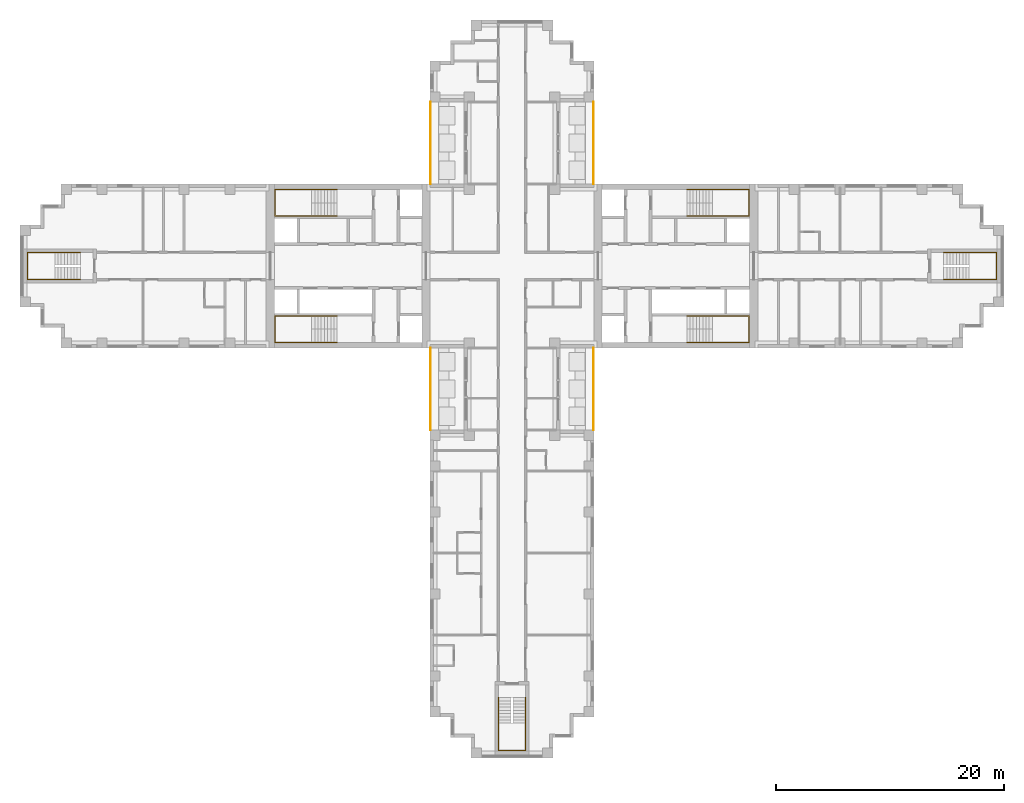
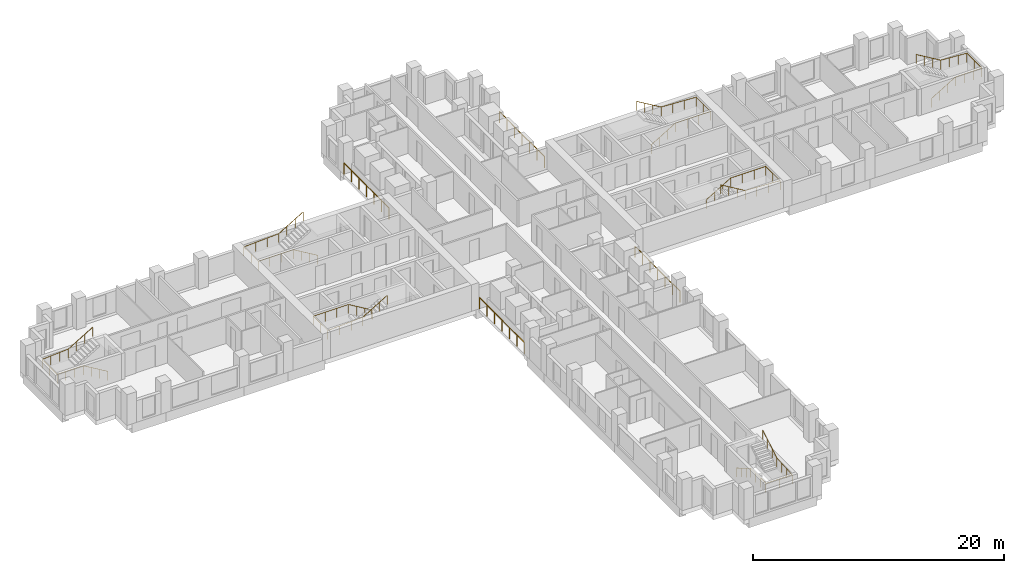
# One storey, part 12 of 13: 11 railings.
"""IFC4 building model written with IfcOpenShell, lengths in metres."""

from ifc_helpers import new_model, si_unit, direction, frame, origin, origin_2d, place, context, subcontext, project, spatial, circle, extrude, material, type_object, element, save


model = new_model("IFC4")

# Units and contexts
model_context = context("Model", 3, precision=1e-05, world=origin(), true_north=direction((0.0, 1.0)))
body_context = subcontext(model_context, "Body", "Model", "MODEL_VIEW")
ifc_project = project(units=[si_unit("LENGTHUNIT", "METRE"), si_unit("AREAUNIT", "SQUARE_METRE"), si_unit("VOLUMEUNIT", "CUBIC_METRE"), si_unit("PLANEANGLEUNIT", "RADIAN"), si_unit("MASSUNIT", "GRAM", prefix="KILO")], contexts=[model_context])

# Site, building, storey
site_placement = place(None, origin())
site = spatial("IfcSite", under=ifc_project, at=site_placement, CompositionType="ELEMENT")
building_placement = place(site_placement, origin())
building = spatial("IfcBuilding", under=site, at=building_placement, Name="Fustian Cross Tower", CompositionType="ELEMENT")
storey_placement = place(building_placement, frame((0.0, 0.0, 75.89990234375)))
storey = spatial("IfcBuildingStorey", under=building, at=storey_placement, Name="L23", CompositionType="ELEMENT", Elevation=75.89990234375)

# Railings
ifc_material_1 = material(Name="Stainless steel and glass", Category="steel")
railing_type_1 = type_object("IfcRailingType", Name="GR1 BALCONY GUARD 1100", PredefinedType="GUARDRAIL", material=ifc_material_1)
for number, where, name in (
    (1, (7.14990234375, 7.199951171875, 0.0), "Balcony guard"),
    (2, (-7.14990234375, 7.199951171875, 0.0), "Balcony guard"),
    (3, (7.14990234375, -14.39990234375, 0.0), "Balcony guard"),
    (4, (-7.14990234375, -14.39990234375, 0.0), "Balcony guard"),
):
    element("IfcRailing", number, at=place(storey_placement, frame(where)), inside=storey, type_object=railing_type_1, Name=name, PredefinedType="GUARDRAIL", context=body_context, shape_type="SweptSolid", body=[
        extrude(circle(Radius=0.02392578125, at=origin_2d()), frame((0.0, 0.0, 1.076171875), z_axis=(0.0, 1.0, 0.0), x_axis=(-1.0, 0.0, 0.0)), (0.0, 0.0, 1.0), 7.199951171875),
        extrude(circle(Radius=0.02099609375, at=origin_2d()), origin(), (0.0, 0.0, 1.0), 1.052001953125),
        extrude(circle(Radius=0.02099609375, at=origin_2d()), frame((0.0, 1.199951171875, 0.0)), (0.0, 0.0, 1.0), 1.052001953125),
        extrude(circle(Radius=0.02099609375, at=origin_2d()), frame((0.0, 2.39990234375, 0.0)), (0.0, 0.0, 1.0), 1.052001953125),
        extrude(circle(Radius=0.02099609375, at=origin_2d()), frame((0.0, 3.60009765625, 0.0)), (0.0, 0.0, 1.0), 1.052001953125),
        extrude(circle(Radius=0.02099609375, at=origin_2d()), frame((0.0, 4.800048828125, 0.0)), (0.0, 0.0, 1.0), 1.052001953125),
        extrude(circle(Radius=0.02099609375, at=origin_2d()), frame((0.0, 6.0, 0.0)), (0.0, 0.0, 1.0), 1.052001953125),
        extrude(circle(Radius=0.02099609375, at=origin_2d()), frame((0.0, 7.199951171875, 0.0)), (0.0, 0.0, 1.0), 1.052001953125),
    ])
ifc_material_2 = material(Name="Stainless steel", Category="steel")
railing_type_2 = type_object("IfcRailingType", Name="STAIR HANDRAIL", PredefinedType="HANDRAIL", material=ifc_material_2)
railing_1_placement = place(storey_placement, frame((15.35009765625, 4.39990234375, 0.166748046875)))
element("IfcRailing", 5, at=railing_1_placement, inside=storey, type_object=railing_type_2, Name="Stair ST1 handrail 1", PredefinedType="HANDRAIL", context=body_context, shape_type="SweptSolid", body=[
    extrude(circle(Radius=0.02490234375, at=origin_2d()), frame((0.0, 0.0, 0.875), z_axis=(0.859305625298, 0.0, 0.511462454469), x_axis=(0.0, 1.0, 0.0)), (0.0, 0.0, 1.0), 2.606689453125),
    extrude(circle(Radius=0.02490234375, at=origin_2d()), frame((2.239990234375, 0.0, 2.2080078125), z_axis=(1.0, 0.0, 0.0), x_axis=(0.0, 1.0, 0.0)), (0.0, 0.0, 1.0), 3.219970703125),
    extrude(circle(Radius=0.02490234375, at=origin_2d()), frame((5.4599609375, 0.0, 2.2080078125), z_axis=(0.0, 1.0, 0.0), x_axis=(-1.0, 0.0, 0.0)), (0.0, 0.0, 1.0), 2.300048828125),
    extrude(circle(Radius=0.02490234375, at=origin_2d()), frame((5.4599609375, 2.300048828125, 2.2080078125), z_axis=(-0.998661817807, 0.0, 0.051716280352), x_axis=(0.0, -1.0, 0.0)), (0.0, 0.0, 1.0), 3.224365234375),
    extrude(circle(Radius=0.02490234375, at=origin_2d()), frame((2.239990234375, 2.300048828125, 2.375), z_axis=(-0.859305625298, 0.0, 0.511462454469), x_axis=(0.0, -1.0, 0.0)), (0.0, 0.0, 1.0), 2.606689453125),
    extrude(circle(Radius=0.02001953125, at=origin_2d()), origin(), (0.0, 0.0, 1.0), 0.849853515625),
    extrude(circle(Radius=0.02001953125, at=origin_2d()), frame((0.74658203125, 0.0, 0.4443359375)), (0.0, 0.0, 1.0), 0.849853515625),
    extrude(circle(Radius=0.02001953125, at=origin_2d()), frame((1.493408203125, 0.0, 0.888916015625)), (0.0, 0.0, 1.0), 0.849853515625),
    extrude(circle(Radius=0.02001953125, at=origin_2d()), frame((2.239990234375, 0.0, 1.333251953125)), (0.0, 0.0, 1.0), 0.849853515625),
    extrude(circle(Radius=0.02001953125, at=origin_2d()), frame((3.313232421875, 0.0, 1.333251953125)), (0.0, 0.0, 1.0), 0.849853515625),
    extrude(circle(Radius=0.02001953125, at=origin_2d()), frame((4.38671875, 0.0, 1.333251953125)), (0.0, 0.0, 1.0), 0.849853515625),
    extrude(circle(Radius=0.02001953125, at=origin_2d()), frame((5.4599609375, 0.0, 1.333251953125)), (0.0, 0.0, 1.0), 0.849853515625),
    extrude(circle(Radius=0.02001953125, at=origin_2d()), frame((5.4599609375, 1.14990234375, 1.333251953125)), (0.0, 0.0, 1.0), 0.849853515625),
    extrude(circle(Radius=0.02001953125, at=origin_2d()), frame((5.4599609375, 2.300048828125, 1.333251953125)), (0.0, 0.0, 1.0), 0.849853515625),
    extrude(circle(Radius=0.02001953125, at=origin_2d()), frame((4.38671875, 2.300048828125, 1.388916015625)), (0.0, 0.0, 1.0), 0.849853515625),
    extrude(circle(Radius=0.02001953125, at=origin_2d()), frame((3.313232421875, 2.300048828125, 1.4443359375)), (0.0, 0.0, 1.0), 0.849853515625),
    extrude(circle(Radius=0.02001953125, at=origin_2d()), frame((2.239990234375, 2.300048828125, 1.5)), (0.0, 0.0, 1.0), 0.849853515625),
    extrude(circle(Radius=0.02001953125, at=origin_2d()), frame((1.493408203125, 2.300048828125, 1.9443359375)), (0.0, 0.0, 1.0), 0.849853515625),
    extrude(circle(Radius=0.02001953125, at=origin_2d()), frame((0.74658203125, 2.300048828125, 2.388916015625)), (0.0, 0.0, 1.0), 0.849853515625),
    extrude(circle(Radius=0.02001953125, at=origin_2d()), frame((0.0, 2.300048828125, 2.833251953125)), (0.0, 0.0, 1.0), 0.849853515625),
])
railing_2_placement = place(storey_placement, frame((15.35009765625, -4.39990234375, 0.166748046875)))
element("IfcRailing", 6, at=railing_2_placement, inside=storey, type_object=railing_type_2, Name="Stair ST2 handrail 1", PredefinedType="HANDRAIL", context=body_context, shape_type="SweptSolid", body=[
    extrude(circle(Radius=0.02490234375, at=origin_2d()), frame((0.0, 0.0, 0.875), z_axis=(0.859305625298, 0.0, 0.511462454469), x_axis=(0.0, 1.0, 0.0)), (0.0, 0.0, 1.0), 2.606689453125),
    extrude(circle(Radius=0.02490234375, at=origin_2d()), frame((2.239990234375, 0.0, 2.2080078125), z_axis=(1.0, 0.0, 0.0), x_axis=(0.0, 1.0, 0.0)), (0.0, 0.0, 1.0), 3.219970703125),
    extrude(circle(Radius=0.02490234375, at=origin_2d()), frame((5.4599609375, 0.0, 2.2080078125), z_axis=(0.0, -1.0, 0.0), x_axis=(1.0, 0.0, 0.0)), (0.0, 0.0, 1.0), 2.300048828125),
    extrude(circle(Radius=0.02490234375, at=origin_2d()), frame((5.4599609375, -2.300048828125, 2.2080078125), z_axis=(-0.998661817807, 0.0, 0.051716280352), x_axis=(0.0, -1.0, 0.0)), (0.0, 0.0, 1.0), 3.224365234375),
    extrude(circle(Radius=0.02490234375, at=origin_2d()), frame((2.239990234375, -2.300048828125, 2.375), z_axis=(-0.859305625298, 0.0, 0.511462454469), x_axis=(0.0, -1.0, 0.0)), (0.0, 0.0, 1.0), 2.606689453125),
    extrude(circle(Radius=0.02001953125, at=origin_2d()), origin(), (0.0, 0.0, 1.0), 0.849853515625),
    extrude(circle(Radius=0.02001953125, at=origin_2d()), frame((0.74658203125, 0.0, 0.4443359375)), (0.0, 0.0, 1.0), 0.849853515625),
    extrude(circle(Radius=0.02001953125, at=origin_2d()), frame((1.493408203125, 0.0, 0.888916015625)), (0.0, 0.0, 1.0), 0.849853515625),
    extrude(circle(Radius=0.02001953125, at=origin_2d()), frame((2.239990234375, 0.0, 1.333251953125)), (0.0, 0.0, 1.0), 0.849853515625),
    extrude(circle(Radius=0.02001953125, at=origin_2d()), frame((3.313232421875, 0.0, 1.333251953125)), (0.0, 0.0, 1.0), 0.849853515625),
    extrude(circle(Radius=0.02001953125, at=origin_2d()), frame((4.38671875, 0.0, 1.333251953125)), (0.0, 0.0, 1.0), 0.849853515625),
    extrude(circle(Radius=0.02001953125, at=origin_2d()), frame((5.4599609375, 0.0, 1.333251953125)), (0.0, 0.0, 1.0), 0.849853515625),
    extrude(circle(Radius=0.02001953125, at=origin_2d()), frame((5.4599609375, -1.14990234375, 1.333251953125)), (0.0, 0.0, 1.0), 0.849853515625),
    extrude(circle(Radius=0.02001953125, at=origin_2d()), frame((5.4599609375, -2.300048828125, 1.333251953125)), (0.0, 0.0, 1.0), 0.849853515625),
    extrude(circle(Radius=0.02001953125, at=origin_2d()), frame((4.38671875, -2.300048828125, 1.388916015625)), (0.0, 0.0, 1.0), 0.849853515625),
    extrude(circle(Radius=0.02001953125, at=origin_2d()), frame((3.313232421875, -2.300048828125, 1.4443359375)), (0.0, 0.0, 1.0), 0.849853515625),
    extrude(circle(Radius=0.02001953125, at=origin_2d()), frame((2.239990234375, -2.300048828125, 1.5)), (0.0, 0.0, 1.0), 0.849853515625),
    extrude(circle(Radius=0.02001953125, at=origin_2d()), frame((1.493408203125, -2.300048828125, 1.9443359375)), (0.0, 0.0, 1.0), 0.849853515625),
    extrude(circle(Radius=0.02001953125, at=origin_2d()), frame((0.74658203125, -2.300048828125, 2.388916015625)), (0.0, 0.0, 1.0), 0.849853515625),
    extrude(circle(Radius=0.02001953125, at=origin_2d()), frame((0.0, -2.300048828125, 2.833251953125)), (0.0, 0.0, 1.0), 0.849853515625),
])
railing_3_placement = place(storey_placement, frame((-15.35009765625, 4.39990234375, 0.166748046875)))
element("IfcRailing", 7, at=railing_3_placement, inside=storey, type_object=railing_type_2, Name="Stair ST3 handrail 1", PredefinedType="HANDRAIL", context=body_context, shape_type="SweptSolid", body=[
    extrude(circle(Radius=0.02490234375, at=origin_2d()), frame((0.0, 0.0, 0.875), z_axis=(-0.859305625298, 0.0, 0.511462454469), x_axis=(0.0, -1.0, 0.0)), (0.0, 0.0, 1.0), 2.606689453125),
    extrude(circle(Radius=0.02490234375, at=origin_2d()), frame((-2.239990234375, 0.0, 2.2080078125), z_axis=(-1.0, 0.0, 0.0), x_axis=(0.0, -1.0, 0.0)), (0.0, 0.0, 1.0), 3.219970703125),
    extrude(circle(Radius=0.02490234375, at=origin_2d()), frame((-5.4599609375, 0.0, 2.2080078125), z_axis=(0.0, 1.0, 0.0), x_axis=(-1.0, 0.0, 0.0)), (0.0, 0.0, 1.0), 2.300048828125),
    extrude(circle(Radius=0.02490234375, at=origin_2d()), frame((-5.4599609375, 2.300048828125, 2.2080078125), z_axis=(0.998661817807, 0.0, 0.051716280352), x_axis=(0.0, 1.0, 0.0)), (0.0, 0.0, 1.0), 3.224365234375),
    extrude(circle(Radius=0.02490234375, at=origin_2d()), frame((-2.239990234375, 2.300048828125, 2.375), z_axis=(0.859305625298, 0.0, 0.511462454469), x_axis=(0.0, 1.0, 0.0)), (0.0, 0.0, 1.0), 2.606689453125),
    extrude(circle(Radius=0.02001953125, at=origin_2d()), origin(), (0.0, 0.0, 1.0), 0.849853515625),
    extrude(circle(Radius=0.02001953125, at=origin_2d()), frame((-0.74658203125, 0.0, 0.4443359375)), (0.0, 0.0, 1.0), 0.849853515625),
    extrude(circle(Radius=0.02001953125, at=origin_2d()), frame((-1.493408203125, 0.0, 0.888916015625)), (0.0, 0.0, 1.0), 0.849853515625),
    extrude(circle(Radius=0.02001953125, at=origin_2d()), frame((-2.239990234375, 0.0, 1.333251953125)), (0.0, 0.0, 1.0), 0.849853515625),
    extrude(circle(Radius=0.02001953125, at=origin_2d()), frame((-3.313232421875, 0.0, 1.333251953125)), (0.0, 0.0, 1.0), 0.849853515625),
    extrude(circle(Radius=0.02001953125, at=origin_2d()), frame((-4.38671875, 0.0, 1.333251953125)), (0.0, 0.0, 1.0), 0.849853515625),
    extrude(circle(Radius=0.02001953125, at=origin_2d()), frame((-5.4599609375, 0.0, 1.333251953125)), (0.0, 0.0, 1.0), 0.849853515625),
    extrude(circle(Radius=0.02001953125, at=origin_2d()), frame((-5.4599609375, 1.14990234375, 1.333251953125)), (0.0, 0.0, 1.0), 0.849853515625),
    extrude(circle(Radius=0.02001953125, at=origin_2d()), frame((-5.4599609375, 2.300048828125, 1.333251953125)), (0.0, 0.0, 1.0), 0.849853515625),
    extrude(circle(Radius=0.02001953125, at=origin_2d()), frame((-4.38671875, 2.300048828125, 1.388916015625)), (0.0, 0.0, 1.0), 0.849853515625),
    extrude(circle(Radius=0.02001953125, at=origin_2d()), frame((-3.313232421875, 2.300048828125, 1.4443359375)), (0.0, 0.0, 1.0), 0.849853515625),
    extrude(circle(Radius=0.02001953125, at=origin_2d()), frame((-2.239990234375, 2.300048828125, 1.5)), (0.0, 0.0, 1.0), 0.849853515625),
    extrude(circle(Radius=0.02001953125, at=origin_2d()), frame((-1.493408203125, 2.300048828125, 1.9443359375)), (0.0, 0.0, 1.0), 0.849853515625),
    extrude(circle(Radius=0.02001953125, at=origin_2d()), frame((-0.74658203125, 2.300048828125, 2.388916015625)), (0.0, 0.0, 1.0), 0.849853515625),
    extrude(circle(Radius=0.02001953125, at=origin_2d()), frame((0.0, 2.300048828125, 2.833251953125)), (0.0, 0.0, 1.0), 0.849853515625),
])
railing_4_placement = place(storey_placement, frame((-15.35009765625, -4.39990234375, 0.166748046875)))
element("IfcRailing", 8, at=railing_4_placement, inside=storey, type_object=railing_type_2, Name="Stair ST4 handrail 1", PredefinedType="HANDRAIL", context=body_context, shape_type="SweptSolid", body=[
    extrude(circle(Radius=0.02490234375, at=origin_2d()), frame((0.0, 0.0, 0.875), z_axis=(-0.859305625298, 0.0, 0.511462454469), x_axis=(0.0, -1.0, 0.0)), (0.0, 0.0, 1.0), 2.606689453125),
    extrude(circle(Radius=0.02490234375, at=origin_2d()), frame((-2.239990234375, 0.0, 2.2080078125), z_axis=(-1.0, 0.0, 0.0), x_axis=(0.0, -1.0, 0.0)), (0.0, 0.0, 1.0), 3.219970703125),
    extrude(circle(Radius=0.02490234375, at=origin_2d()), frame((-5.4599609375, 0.0, 2.2080078125), z_axis=(0.0, -1.0, 0.0), x_axis=(1.0, 0.0, 0.0)), (0.0, 0.0, 1.0), 2.300048828125),
    extrude(circle(Radius=0.02490234375, at=origin_2d()), frame((-5.4599609375, -2.300048828125, 2.2080078125), z_axis=(0.998661817807, 0.0, 0.051716280352), x_axis=(0.0, 1.0, 0.0)), (0.0, 0.0, 1.0), 3.224365234375),
    extrude(circle(Radius=0.02490234375, at=origin_2d()), frame((-2.239990234375, -2.300048828125, 2.375), z_axis=(0.859305625298, 0.0, 0.511462454469), x_axis=(0.0, 1.0, 0.0)), (0.0, 0.0, 1.0), 2.606689453125),
    extrude(circle(Radius=0.02001953125, at=origin_2d()), origin(), (0.0, 0.0, 1.0), 0.849853515625),
    extrude(circle(Radius=0.02001953125, at=origin_2d()), frame((-0.74658203125, 0.0, 0.4443359375)), (0.0, 0.0, 1.0), 0.849853515625),
    extrude(circle(Radius=0.02001953125, at=origin_2d()), frame((-1.493408203125, 0.0, 0.888916015625)), (0.0, 0.0, 1.0), 0.849853515625),
    extrude(circle(Radius=0.02001953125, at=origin_2d()), frame((-2.239990234375, 0.0, 1.333251953125)), (0.0, 0.0, 1.0), 0.849853515625),
    extrude(circle(Radius=0.02001953125, at=origin_2d()), frame((-3.313232421875, 0.0, 1.333251953125)), (0.0, 0.0, 1.0), 0.849853515625),
    extrude(circle(Radius=0.02001953125, at=origin_2d()), frame((-4.38671875, 0.0, 1.333251953125)), (0.0, 0.0, 1.0), 0.849853515625),
    extrude(circle(Radius=0.02001953125, at=origin_2d()), frame((-5.4599609375, 0.0, 1.333251953125)), (0.0, 0.0, 1.0), 0.849853515625),
    extrude(circle(Radius=0.02001953125, at=origin_2d()), frame((-5.4599609375, -1.14990234375, 1.333251953125)), (0.0, 0.0, 1.0), 0.849853515625),
    extrude(circle(Radius=0.02001953125, at=origin_2d()), frame((-5.4599609375, -2.300048828125, 1.333251953125)), (0.0, 0.0, 1.0), 0.849853515625),
    extrude(circle(Radius=0.02001953125, at=origin_2d()), frame((-4.38671875, -2.300048828125, 1.388916015625)), (0.0, 0.0, 1.0), 0.849853515625),
    extrude(circle(Radius=0.02001953125, at=origin_2d()), frame((-3.313232421875, -2.300048828125, 1.4443359375)), (0.0, 0.0, 1.0), 0.849853515625),
    extrude(circle(Radius=0.02001953125, at=origin_2d()), frame((-2.239990234375, -2.300048828125, 1.5)), (0.0, 0.0, 1.0), 0.849853515625),
    extrude(circle(Radius=0.02001953125, at=origin_2d()), frame((-1.493408203125, -2.300048828125, 1.9443359375)), (0.0, 0.0, 1.0), 0.849853515625),
    extrude(circle(Radius=0.02001953125, at=origin_2d()), frame((-0.74658203125, -2.300048828125, 2.388916015625)), (0.0, 0.0, 1.0), 0.849853515625),
    extrude(circle(Radius=0.02001953125, at=origin_2d()), frame((0.0, -2.300048828125, 2.833251953125)), (0.0, 0.0, 1.0), 0.849853515625),
])
railing_5_placement = place(storey_placement, frame((-1.199951171875, -37.89990234375, 0.166748046875)))
element("IfcRailing", 9, at=railing_5_placement, inside=storey, type_object=railing_type_2, Name="Stair ST6 handrail 1", PredefinedType="HANDRAIL", context=body_context, shape_type="SweptSolid", body=[
    extrude(circle(Radius=0.02490234375, at=origin_2d()), frame((0.0, 0.0, 0.875), z_axis=(0.0, -0.859305625298, 0.511462454469), x_axis=(1.0, 0.0, 0.0)), (0.0, 0.0, 1.0), 2.606689453125),
    extrude(circle(Radius=0.02490234375, at=origin_2d()), frame((0.0, -2.239990234375, 2.2080078125), z_axis=(0.0, -1.0, 0.0), x_axis=(1.0, 0.0, 0.0)), (0.0, 0.0, 1.0), 2.420166015625),
    extrude(circle(Radius=0.02490234375, at=origin_2d()), frame((0.0, -4.66015625, 2.2080078125), z_axis=(1.0, 0.0, 0.0), x_axis=(0.0, 1.0, 0.0)), (0.0, 0.0, 1.0), 2.39990234375),
    extrude(circle(Radius=0.02490234375, at=origin_2d()), frame((2.39990234375, -4.66015625, 2.2080078125), z_axis=(0.0, 0.997634852044, 0.068736467663), x_axis=(-1.0, 0.0, 0.0)), (0.0, 0.0, 1.0), 2.426025390625),
    extrude(circle(Radius=0.02490234375, at=origin_2d()), frame((2.39990234375, -2.239990234375, 2.375), z_axis=(0.0, 0.859305625298, 0.511462454469), x_axis=(-1.0, 0.0, 0.0)), (0.0, 0.0, 1.0), 2.606689453125),
    extrude(circle(Radius=0.02001953125, at=origin_2d()), origin(), (0.0, 0.0, 1.0), 0.849853515625),
    extrude(circle(Radius=0.02001953125, at=origin_2d()), frame((0.0, -0.74658203125, 0.4443359375)), (0.0, 0.0, 1.0), 0.849853515625),
    extrude(circle(Radius=0.02001953125, at=origin_2d()), frame((0.0, -1.493408203125, 0.888916015625)), (0.0, 0.0, 1.0), 0.849853515625),
    extrude(circle(Radius=0.02001953125, at=origin_2d()), frame((0.0, -2.239990234375, 1.333251953125)), (0.0, 0.0, 1.0), 0.849853515625),
    extrude(circle(Radius=0.02001953125, at=origin_2d()), frame((0.0, -3.046630859375, 1.333251953125)), (0.0, 0.0, 1.0), 0.849853515625),
    extrude(circle(Radius=0.02001953125, at=origin_2d()), frame((0.0, -3.853515625, 1.333251953125)), (0.0, 0.0, 1.0), 0.849853515625),
    extrude(circle(Radius=0.02001953125, at=origin_2d()), frame((0.0, -4.66015625, 1.333251953125)), (0.0, 0.0, 1.0), 0.849853515625),
    extrude(circle(Radius=0.02001953125, at=origin_2d()), frame((1.199951171875, -4.66015625, 1.333251953125)), (0.0, 0.0, 1.0), 0.849853515625),
    extrude(circle(Radius=0.02001953125, at=origin_2d()), frame((2.39990234375, -4.66015625, 1.333251953125)), (0.0, 0.0, 1.0), 0.849853515625),
    extrude(circle(Radius=0.02001953125, at=origin_2d()), frame((2.39990234375, -3.853515625, 1.388916015625)), (0.0, 0.0, 1.0), 0.849853515625),
    extrude(circle(Radius=0.02001953125, at=origin_2d()), frame((2.39990234375, -3.046630859375, 1.4443359375)), (0.0, 0.0, 1.0), 0.849853515625),
    extrude(circle(Radius=0.02001953125, at=origin_2d()), frame((2.39990234375, -2.239990234375, 1.5)), (0.0, 0.0, 1.0), 0.849853515625),
    extrude(circle(Radius=0.02001953125, at=origin_2d()), frame((2.39990234375, -1.493408203125, 1.9443359375)), (0.0, 0.0, 1.0), 0.849853515625),
    extrude(circle(Radius=0.02001953125, at=origin_2d()), frame((2.39990234375, -0.74658203125, 2.388916015625)), (0.0, 0.0, 1.0), 0.849853515625),
    extrude(circle(Radius=0.02001953125, at=origin_2d()), frame((2.39990234375, 0.0, 2.833251953125)), (0.0, 0.0, 1.0), 0.849853515625),
])
railing_6_placement = place(storey_placement, frame((37.89990234375, -1.199951171875, 0.166748046875)))
element("IfcRailing", 10, at=railing_6_placement, inside=storey, type_object=railing_type_2, Name="Stair ST8 handrail 1", PredefinedType="HANDRAIL", context=body_context, shape_type="SweptSolid", body=[
    extrude(circle(Radius=0.02490234375, at=origin_2d()), frame((0.0, 0.0, 0.875), z_axis=(0.859305625298, 0.0, 0.511462454469), x_axis=(0.0, 1.0, 0.0)), (0.0, 0.0, 1.0), 2.606689453125),
    extrude(circle(Radius=0.02490234375, at=origin_2d()), frame((2.239990234375, 0.0, 2.2080078125), z_axis=(1.0, 0.0, 0.0), x_axis=(0.0, 1.0, 0.0)), (0.0, 0.0, 1.0), 2.420166015625),
    extrude(circle(Radius=0.02490234375, at=origin_2d()), frame((4.66015625, 0.0, 2.2080078125), z_axis=(0.0, 1.0, 0.0), x_axis=(-1.0, 0.0, 0.0)), (0.0, 0.0, 1.0), 2.39990234375),
    extrude(circle(Radius=0.02490234375, at=origin_2d()), frame((4.66015625, 2.39990234375, 2.2080078125), z_axis=(-0.997634852044, 0.0, 0.068736467663), x_axis=(0.0, -1.0, 0.0)), (0.0, 0.0, 1.0), 2.426025390625),
    extrude(circle(Radius=0.02490234375, at=origin_2d()), frame((2.239990234375, 2.39990234375, 2.375), z_axis=(-0.859305625298, 0.0, 0.511462454469), x_axis=(0.0, -1.0, 0.0)), (0.0, 0.0, 1.0), 2.606689453125),
    extrude(circle(Radius=0.02001953125, at=origin_2d()), origin(), (0.0, 0.0, 1.0), 0.849853515625),
    extrude(circle(Radius=0.02001953125, at=origin_2d()), frame((0.74658203125, 0.0, 0.4443359375)), (0.0, 0.0, 1.0), 0.849853515625),
    extrude(circle(Radius=0.02001953125, at=origin_2d()), frame((1.493408203125, 0.0, 0.888916015625)), (0.0, 0.0, 1.0), 0.849853515625),
    extrude(circle(Radius=0.02001953125, at=origin_2d()), frame((2.239990234375, 0.0, 1.333251953125)), (0.0, 0.0, 1.0), 0.849853515625),
    extrude(circle(Radius=0.02001953125, at=origin_2d()), frame((3.046630859375, 0.0, 1.333251953125)), (0.0, 0.0, 1.0), 0.849853515625),
    extrude(circle(Radius=0.02001953125, at=origin_2d()), frame((3.853515625, 0.0, 1.333251953125)), (0.0, 0.0, 1.0), 0.849853515625),
    extrude(circle(Radius=0.02001953125, at=origin_2d()), frame((4.66015625, 0.0, 1.333251953125)), (0.0, 0.0, 1.0), 0.849853515625),
    extrude(circle(Radius=0.02001953125, at=origin_2d()), frame((4.66015625, 1.199951171875, 1.333251953125)), (0.0, 0.0, 1.0), 0.849853515625),
    extrude(circle(Radius=0.02001953125, at=origin_2d()), frame((4.66015625, 2.39990234375, 1.333251953125)), (0.0, 0.0, 1.0), 0.849853515625),
    extrude(circle(Radius=0.02001953125, at=origin_2d()), frame((3.853515625, 2.39990234375, 1.388916015625)), (0.0, 0.0, 1.0), 0.849853515625),
    extrude(circle(Radius=0.02001953125, at=origin_2d()), frame((3.046630859375, 2.39990234375, 1.4443359375)), (0.0, 0.0, 1.0), 0.849853515625),
    extrude(circle(Radius=0.02001953125, at=origin_2d()), frame((2.239990234375, 2.39990234375, 1.5)), (0.0, 0.0, 1.0), 0.849853515625),
    extrude(circle(Radius=0.02001953125, at=origin_2d()), frame((1.493408203125, 2.39990234375, 1.9443359375)), (0.0, 0.0, 1.0), 0.849853515625),
    extrude(circle(Radius=0.02001953125, at=origin_2d()), frame((0.74658203125, 2.39990234375, 2.388916015625)), (0.0, 0.0, 1.0), 0.849853515625),
    extrude(circle(Radius=0.02001953125, at=origin_2d()), frame((0.0, 2.39990234375, 2.833251953125)), (0.0, 0.0, 1.0), 0.849853515625),
])
railing_7_placement = place(storey_placement, frame((-37.89990234375, -1.199951171875, 0.166748046875)))
element("IfcRailing", 11, at=railing_7_placement, inside=storey, type_object=railing_type_2, Name="Stair ST9 handrail 1", PredefinedType="HANDRAIL", context=body_context, shape_type="SweptSolid", body=[
    extrude(circle(Radius=0.02490234375, at=origin_2d()), frame((0.0, 0.0, 0.875), z_axis=(-0.859305625298, 0.0, 0.511462454469), x_axis=(0.0, -1.0, 0.0)), (0.0, 0.0, 1.0), 2.606689453125),
    extrude(circle(Radius=0.02490234375, at=origin_2d()), frame((-2.239990234375, 0.0, 2.2080078125), z_axis=(-1.0, 0.0, 0.0), x_axis=(0.0, -1.0, 0.0)), (0.0, 0.0, 1.0), 2.420166015625),
    extrude(circle(Radius=0.02490234375, at=origin_2d()), frame((-4.66015625, 0.0, 2.2080078125), z_axis=(0.0, 1.0, 0.0), x_axis=(-1.0, 0.0, 0.0)), (0.0, 0.0, 1.0), 2.39990234375),
    extrude(circle(Radius=0.02490234375, at=origin_2d()), frame((-4.66015625, 2.39990234375, 2.2080078125), z_axis=(0.997634852044, 0.0, 0.068736467663), x_axis=(0.0, 1.0, 0.0)), (0.0, 0.0, 1.0), 2.426025390625),
    extrude(circle(Radius=0.02490234375, at=origin_2d()), frame((-2.239990234375, 2.39990234375, 2.375), z_axis=(0.859305625298, 0.0, 0.511462454469), x_axis=(0.0, 1.0, 0.0)), (0.0, 0.0, 1.0), 2.606689453125),
    extrude(circle(Radius=0.02001953125, at=origin_2d()), origin(), (0.0, 0.0, 1.0), 0.849853515625),
    extrude(circle(Radius=0.02001953125, at=origin_2d()), frame((-0.74658203125, 0.0, 0.4443359375)), (0.0, 0.0, 1.0), 0.849853515625),
    extrude(circle(Radius=0.02001953125, at=origin_2d()), frame((-1.493408203125, 0.0, 0.888916015625)), (0.0, 0.0, 1.0), 0.849853515625),
    extrude(circle(Radius=0.02001953125, at=origin_2d()), frame((-2.239990234375, 0.0, 1.333251953125)), (0.0, 0.0, 1.0), 0.849853515625),
    extrude(circle(Radius=0.02001953125, at=origin_2d()), frame((-3.046630859375, 0.0, 1.333251953125)), (0.0, 0.0, 1.0), 0.849853515625),
    extrude(circle(Radius=0.02001953125, at=origin_2d()), frame((-3.853515625, 0.0, 1.333251953125)), (0.0, 0.0, 1.0), 0.849853515625),
    extrude(circle(Radius=0.02001953125, at=origin_2d()), frame((-4.66015625, 0.0, 1.333251953125)), (0.0, 0.0, 1.0), 0.849853515625),
    extrude(circle(Radius=0.02001953125, at=origin_2d()), frame((-4.66015625, 1.199951171875, 1.333251953125)), (0.0, 0.0, 1.0), 0.849853515625),
    extrude(circle(Radius=0.02001953125, at=origin_2d()), frame((-4.66015625, 2.39990234375, 1.333251953125)), (0.0, 0.0, 1.0), 0.849853515625),
    extrude(circle(Radius=0.02001953125, at=origin_2d()), frame((-3.853515625, 2.39990234375, 1.388916015625)), (0.0, 0.0, 1.0), 0.849853515625),
    extrude(circle(Radius=0.02001953125, at=origin_2d()), frame((-3.046630859375, 2.39990234375, 1.4443359375)), (0.0, 0.0, 1.0), 0.849853515625),
    extrude(circle(Radius=0.02001953125, at=origin_2d()), frame((-2.239990234375, 2.39990234375, 1.5)), (0.0, 0.0, 1.0), 0.849853515625),
    extrude(circle(Radius=0.02001953125, at=origin_2d()), frame((-1.493408203125, 2.39990234375, 1.9443359375)), (0.0, 0.0, 1.0), 0.849853515625),
    extrude(circle(Radius=0.02001953125, at=origin_2d()), frame((-0.74658203125, 2.39990234375, 2.388916015625)), (0.0, 0.0, 1.0), 0.849853515625),
    extrude(circle(Radius=0.02001953125, at=origin_2d()), frame((0.0, 2.39990234375, 2.833251953125)), (0.0, 0.0, 1.0), 0.849853515625),
])

save(model, "model.ifc")
